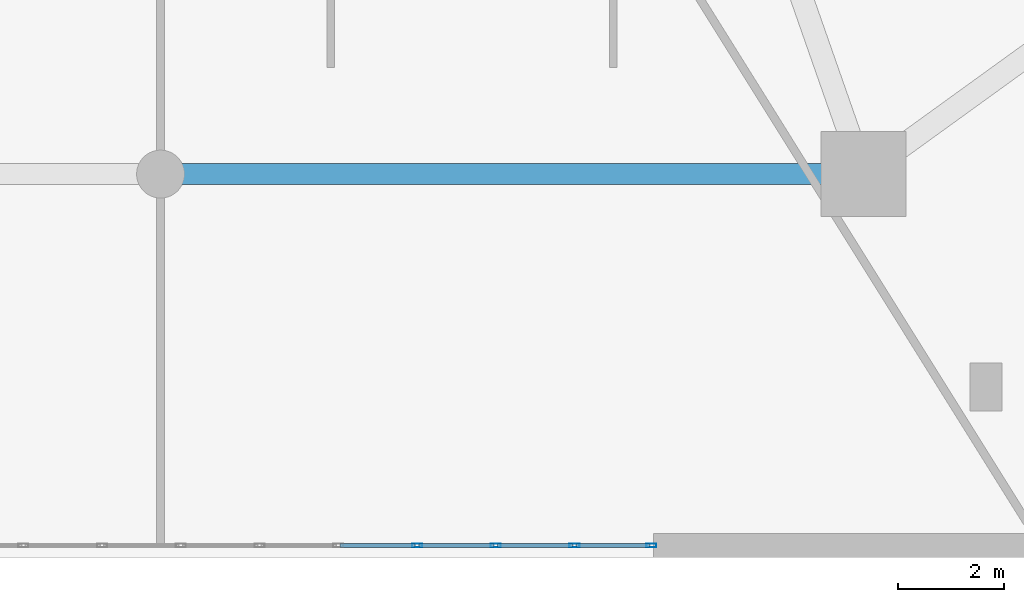
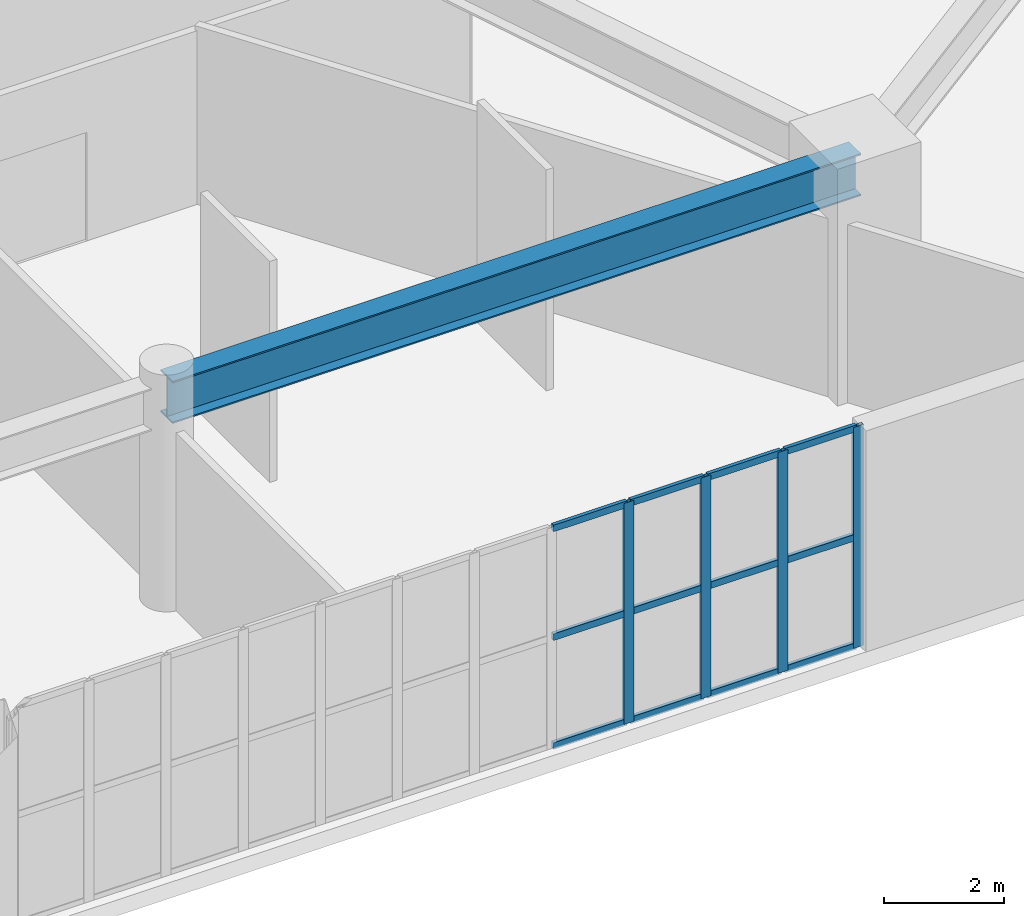
# One storey, part 9 of 17: 16 members, 1 beam, 1 element without a shape of its own.
"""IFC4 building model written with IfcOpenShell, lengths in metres."""

from ifc_helpers import new_model, si_unit, direction, frame, origin, origin_2d, place, context, subcontext, project, spatial, hollow_rectangle, i_section, extrude, material, layer, layer_set, material_profile, profile_set, type_object, element, aggregate, save


model = new_model("IFC4")

# Units and contexts
model_context = context("Model", 3, precision=1e-05, world=origin(), true_north=direction((0.0, 1.0)))
body_context = subcontext(model_context, "Body", "Model", "MODEL_VIEW")
ifc_project = project(units=[si_unit("LENGTHUNIT", "METRE"), si_unit("AREAUNIT", "SQUARE_METRE"), si_unit("VOLUMEUNIT", "CUBIC_METRE"), si_unit("PLANEANGLEUNIT", "RADIAN"), si_unit("MASSUNIT", "GRAM", prefix="KILO")], contexts=[model_context])

# Site, building, storey
site_placement = place(None, origin())
site = spatial("IfcSite", under=ifc_project, at=site_placement, CompositionType="ELEMENT")
building_placement = place(site_placement, origin())
building = spatial("IfcBuilding", under=site, at=building_placement, Name="Kilnhurst Terrace Hotel", CompositionType="ELEMENT")
storey_placement = place(building_placement, frame((0.0, 0.0, 18.60009765625)))
storey = spatial("IfcBuildingStorey", under=building, at=storey_placement, Name="L03", CompositionType="ELEMENT", Elevation=18.60009765625)

# Beam
ifc_material_1 = material(Name="Steel ASTM A992 Grade 50", Category="steel")
ifc_material_profile_1 = material_profile(ifc_material_1, i_section(OverallWidth=0.39990234375, OverallDepth=0.85546875, WebThickness=0.018310546875, FlangeThickness=0.029296875, at=origin_2d()), Name="W33X201")
ifc_profile_set_1 = profile_set([ifc_material_profile_1], Name="Steel ASTM A992 Grade 50")
beam_type = type_object("IfcBeamType", Name="BM-STL-W33X201", PredefinedType="BEAM", material=ifc_profile_set_1)
beam_placement = place(storey_placement, frame((0.0, -19.5, 4.0498046875), z_axis=(1.0, 0.0, 0.0), x_axis=(0.0, 1.0, 0.0)))
element("IfcBeam", 1, at=beam_placement, inside=storey, type_object=beam_type, Name="L03 Meeting Suite Frame Beam 2", PredefinedType="BEAM", context=body_context, shape_type="SweptSolid", body=[
    extrude(i_section(OverallWidth=0.39990234375, OverallDepth=0.85546875, WebThickness=0.018310546875, FlangeThickness=0.029296875, at=origin_2d()), origin(), (0.0, 0.0, 1.0), 13.199951171875),
])

# Curtain wall, members
ifc_material_2 = material(Name="Anodized Aluminium Alloy 6063-T6 and Low-E Glass", Category="aluminium")
ifc_layer = layer(ifc_material_2, 0.219970703125, Name="Anodized Aluminium Alloy 6063-T6 and Low-E Glass")
ifc_layer_set = layer_set([ifc_layer], Name="Anodized Aluminium Alloy 6063-T6 and Low-E Glass")
curtain_wall_type = type_object("IfcCurtainWallType", Name="CW-POD-TERR", PredefinedType="NOTDEFINED", material=ifc_layer_set)
curtain_wall_placement = place(storey_placement, origin())
curtain_wall = element("IfcCurtainWall", 2, at=curtain_wall_placement, inside=storey, type_object=curtain_wall_type, Name="L03 Curtain Wall CW-L03-F1-1", PredefinedType="NOTDEFINED")
ifc_material_3 = material(Name="Extruded Aluminium Alloy 6063-T6", Category="aluminium")
ifc_material_profile_2 = material_profile(ifc_material_3, hollow_rectangle(XDim=0.070068359375, YDim=0.18994140625, WallThickness=0.00390625, at=origin_2d()), Name="CWM70X190")
ifc_profile_set_2 = profile_set([ifc_material_profile_2], Name="Extruded Aluminium Alloy 6063-T6")
member_type_1 = type_object("IfcMemberType", Name="MEM-CWM70X190", PredefinedType="MULLION", material=ifc_profile_set_2)
member_1_placement = place(storey_placement, frame((4.817138671875, -26.47509765625, 0.0), z_axis=(0.0, 0.0, 1.0), x_axis=(0.0, 1.0, 0.0)))
member_1 = element("IfcMember", 3, at=member_1_placement, type_object=member_type_1, Name="CWT-2 mullion 9", PredefinedType="MULLION", context=body_context, shape_type="SweptSolid", body=[
    extrude(hollow_rectangle(XDim=0.070068359375, YDim=0.18994140625, WallThickness=0.00390625, at=origin_2d()), origin(), (0.0, 0.0, 1.0), 4.47998046875),
])
member_2_placement = place(storey_placement, frame((6.2958984375, -26.47509765625, 0.0), z_axis=(0.0, 0.0, 1.0), x_axis=(0.0, 1.0, 0.0)))
member_2 = element("IfcMember", 4, at=member_2_placement, type_object=member_type_1, Name="CWT-2 mullion 10", PredefinedType="MULLION", context=body_context, shape_type="SweptSolid", body=[
    extrude(hollow_rectangle(XDim=0.070068359375, YDim=0.18994140625, WallThickness=0.00390625, at=origin_2d()), origin(), (0.0, 0.0, 1.0), 4.47998046875),
])
member_3_placement = place(storey_placement, frame((7.774658203125, -26.47509765625, 0.0), z_axis=(0.0, 0.0, 1.0), x_axis=(0.0, 1.0, 0.0)))
member_3 = element("IfcMember", 5, at=member_3_placement, type_object=member_type_1, Name="CWT-2 mullion 11", PredefinedType="MULLION", context=body_context, shape_type="SweptSolid", body=[
    extrude(hollow_rectangle(XDim=0.070068359375, YDim=0.18994140625, WallThickness=0.00390625, at=origin_2d()), origin(), (0.0, 0.0, 1.0), 4.47998046875),
])
member_4_placement = place(storey_placement, frame((9.218505859375, -26.47509765625, 0.0), z_axis=(0.0, 0.0, 1.0), x_axis=(0.0, 1.0, 0.0)))
member_4 = element("IfcMember", 6, at=member_4_placement, type_object=member_type_1, Name="CWT-2 mullion 12", PredefinedType="MULLION", context=body_context, shape_type="SweptSolid", body=[
    extrude(hollow_rectangle(XDim=0.070068359375, YDim=0.18994140625, WallThickness=0.00390625, at=origin_2d()), origin(), (0.0, 0.0, 1.0), 4.47998046875),
])
ifc_material_profile_3 = material_profile(ifc_material_3, hollow_rectangle(XDim=0.070068359375, YDim=0.135009765625, WallThickness=0.00390625, at=origin_2d()), Name="CWT70X135")
ifc_profile_set_3 = profile_set([ifc_material_profile_3], Name="Extruded Aluminium Alloy 6063-T6")
member_type_2 = type_object("IfcMemberType", Name="MEM-CWT70X135", PredefinedType="USERDEFINED", material=ifc_profile_set_3)
member_5_placement = place(storey_placement, frame((3.37353515625, -26.47509765625, 0.034912109375), z_axis=(1.0, 0.0, 0.0), x_axis=(0.0, 1.0, 0.0)))
member_5 = element("IfcMember", 7, at=member_5_placement, type_object=member_type_2, Name="CWT-2 transom 8.1", ObjectType="TRANSOM", PredefinedType="USERDEFINED", context=body_context, shape_type="SweptSolid", body=[
    extrude(hollow_rectangle(XDim=0.070068359375, YDim=0.135009765625, WallThickness=0.00390625, at=origin_2d()), origin(), (0.0, 0.0, 1.0), 1.40869140625),
])
member_6_placement = place(storey_placement, frame((3.37353515625, -26.47509765625, 2.239990234375), z_axis=(1.0, 0.0, 0.0), x_axis=(0.0, 1.0, 0.0)))
member_6 = element("IfcMember", 8, at=member_6_placement, type_object=member_type_2, Name="CWT-2 transom 8.2", ObjectType="TRANSOM", PredefinedType="USERDEFINED", context=body_context, shape_type="SweptSolid", body=[
    extrude(hollow_rectangle(XDim=0.070068359375, YDim=0.135009765625, WallThickness=0.00390625, at=origin_2d()), origin(), (0.0, 0.0, 1.0), 1.40869140625),
])
member_7_placement = place(storey_placement, frame((3.37353515625, -26.47509765625, 4.44482421875), z_axis=(1.0, 0.0, 0.0), x_axis=(0.0, 1.0, 0.0)))
member_7 = element("IfcMember", 9, at=member_7_placement, type_object=member_type_2, Name="CWT-2 transom 8.3", ObjectType="TRANSOM", PredefinedType="USERDEFINED", context=body_context, shape_type="SweptSolid", body=[
    extrude(hollow_rectangle(XDim=0.070068359375, YDim=0.135009765625, WallThickness=0.00390625, at=origin_2d()), origin(), (0.0, 0.0, 1.0), 1.40869140625),
])
member_8_placement = place(storey_placement, frame((4.852294921875, -26.47509765625, 0.034912109375), z_axis=(1.0, 0.0, 0.0), x_axis=(0.0, 1.0, 0.0)))
member_8 = element("IfcMember", 10, at=member_8_placement, type_object=member_type_2, Name="CWT-2 transom 9.1", ObjectType="TRANSOM", PredefinedType="USERDEFINED", context=body_context, shape_type="SweptSolid", body=[
    extrude(hollow_rectangle(XDim=0.070068359375, YDim=0.135009765625, WallThickness=0.00390625, at=origin_2d()), origin(), (0.0, 0.0, 1.0), 1.40869140625),
])
member_9_placement = place(storey_placement, frame((4.852294921875, -26.47509765625, 2.239990234375), z_axis=(1.0, 0.0, 0.0), x_axis=(0.0, 1.0, 0.0)))
member_9 = element("IfcMember", 11, at=member_9_placement, type_object=member_type_2, Name="CWT-2 transom 9.2", ObjectType="TRANSOM", PredefinedType="USERDEFINED", context=body_context, shape_type="SweptSolid", body=[
    extrude(hollow_rectangle(XDim=0.070068359375, YDim=0.135009765625, WallThickness=0.00390625, at=origin_2d()), origin(), (0.0, 0.0, 1.0), 1.40869140625),
])
member_10_placement = place(storey_placement, frame((4.852294921875, -26.47509765625, 4.44482421875), z_axis=(1.0, 0.0, 0.0), x_axis=(0.0, 1.0, 0.0)))
member_10 = element("IfcMember", 12, at=member_10_placement, type_object=member_type_2, Name="CWT-2 transom 9.3", ObjectType="TRANSOM", PredefinedType="USERDEFINED", context=body_context, shape_type="SweptSolid", body=[
    extrude(hollow_rectangle(XDim=0.070068359375, YDim=0.135009765625, WallThickness=0.00390625, at=origin_2d()), origin(), (0.0, 0.0, 1.0), 1.40869140625),
])
member_11_placement = place(storey_placement, frame((6.3310546875, -26.47509765625, 0.034912109375), z_axis=(1.0, 0.0, 0.0), x_axis=(0.0, 1.0, 0.0)))
member_11 = element("IfcMember", 13, at=member_11_placement, type_object=member_type_2, Name="CWT-2 transom 10.1", ObjectType="TRANSOM", PredefinedType="USERDEFINED", context=body_context, shape_type="SweptSolid", body=[
    extrude(hollow_rectangle(XDim=0.070068359375, YDim=0.135009765625, WallThickness=0.00390625, at=origin_2d()), origin(), (0.0, 0.0, 1.0), 1.40869140625),
])
member_12_placement = place(storey_placement, frame((6.3310546875, -26.47509765625, 2.239990234375), z_axis=(1.0, 0.0, 0.0), x_axis=(0.0, 1.0, 0.0)))
member_12 = element("IfcMember", 14, at=member_12_placement, type_object=member_type_2, Name="CWT-2 transom 10.2", ObjectType="TRANSOM", PredefinedType="USERDEFINED", context=body_context, shape_type="SweptSolid", body=[
    extrude(hollow_rectangle(XDim=0.070068359375, YDim=0.135009765625, WallThickness=0.00390625, at=origin_2d()), origin(), (0.0, 0.0, 1.0), 1.40869140625),
])
member_13_placement = place(storey_placement, frame((6.3310546875, -26.47509765625, 4.44482421875), z_axis=(1.0, 0.0, 0.0), x_axis=(0.0, 1.0, 0.0)))
member_13 = element("IfcMember", 15, at=member_13_placement, type_object=member_type_2, Name="CWT-2 transom 10.3", ObjectType="TRANSOM", PredefinedType="USERDEFINED", context=body_context, shape_type="SweptSolid", body=[
    extrude(hollow_rectangle(XDim=0.070068359375, YDim=0.135009765625, WallThickness=0.00390625, at=origin_2d()), origin(), (0.0, 0.0, 1.0), 1.40869140625),
])
member_14_placement = place(storey_placement, frame((7.8095703125, -26.47509765625, 0.034912109375), z_axis=(1.0, 0.0, 0.0), x_axis=(0.0, 1.0, 0.0)))
member_14 = element("IfcMember", 16, at=member_14_placement, type_object=member_type_2, Name="CWT-2 transom 11.1", ObjectType="TRANSOM", PredefinedType="USERDEFINED", context=body_context, shape_type="SweptSolid", body=[
    extrude(hollow_rectangle(XDim=0.070068359375, YDim=0.135009765625, WallThickness=0.00390625, at=origin_2d()), origin(), (0.0, 0.0, 1.0), 1.373779296875),
])
member_15_placement = place(storey_placement, frame((7.8095703125, -26.47509765625, 2.239990234375), z_axis=(1.0, 0.0, 0.0), x_axis=(0.0, 1.0, 0.0)))
member_15 = element("IfcMember", 17, at=member_15_placement, type_object=member_type_2, Name="CWT-2 transom 11.2", ObjectType="TRANSOM", PredefinedType="USERDEFINED", context=body_context, shape_type="SweptSolid", body=[
    extrude(hollow_rectangle(XDim=0.070068359375, YDim=0.135009765625, WallThickness=0.00390625, at=origin_2d()), origin(), (0.0, 0.0, 1.0), 1.373779296875),
])
member_16_placement = place(storey_placement, frame((7.8095703125, -26.47509765625, 4.44482421875), z_axis=(1.0, 0.0, 0.0), x_axis=(0.0, 1.0, 0.0)))
member_16 = element("IfcMember", 18, at=member_16_placement, type_object=member_type_2, Name="CWT-2 transom 11.3", ObjectType="TRANSOM", PredefinedType="USERDEFINED", context=body_context, shape_type="SweptSolid", body=[
    extrude(hollow_rectangle(XDim=0.070068359375, YDim=0.135009765625, WallThickness=0.00390625, at=origin_2d()), origin(), (0.0, 0.0, 1.0), 1.373779296875),
])
aggregate(curtain_wall, [member_1, member_2, member_3, member_4, member_5, member_6, member_7, member_8, member_9, member_10, member_11, member_12, member_13, member_14, member_15, member_16])

save(model, "model.ifc")
